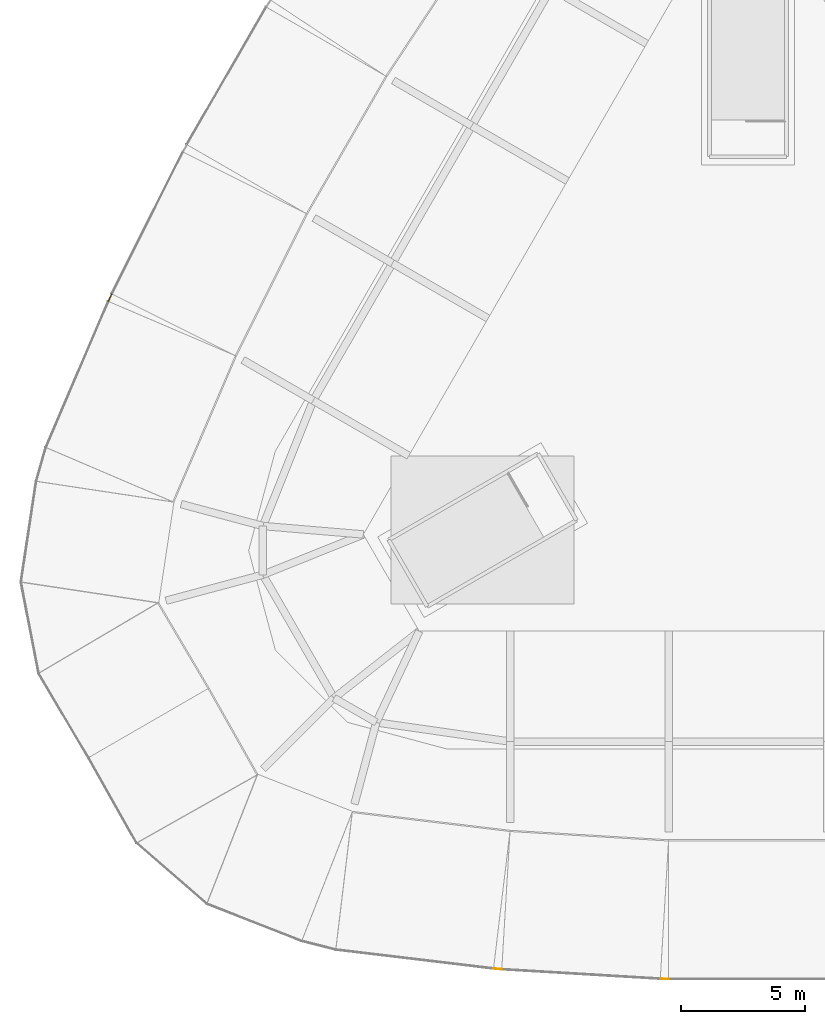
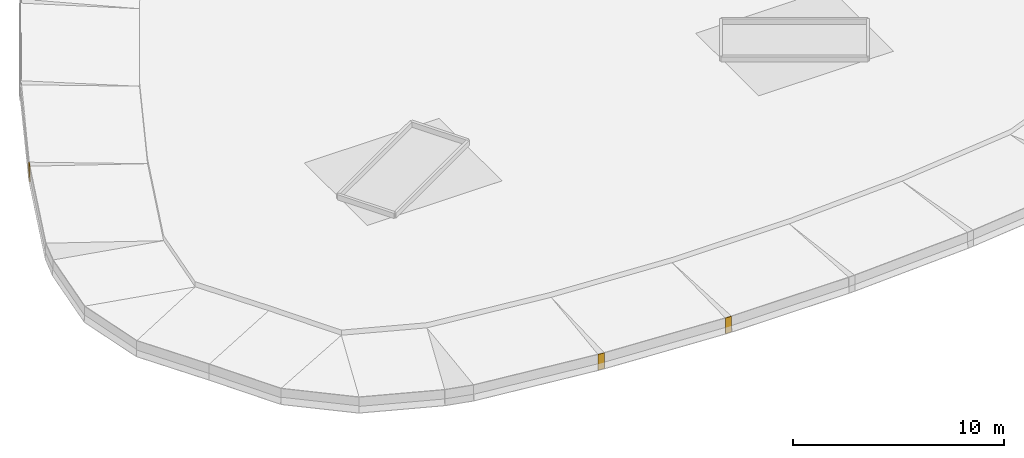
# One storey, part 6 of 9: 3 coverings.
"""IFC4 building model written with IfcOpenShell, lengths in metres."""

from ifc_helpers import new_model, si_unit, direction, frame, origin, origin_2d, place, context, subcontext, project, spatial, rectangle, extrude, material, layer, layer_set, type_object, element, save


model = new_model("IFC4")

# Units and contexts
model_context = context("Model", 3, precision=1e-05, world=origin(), true_north=direction((0.0, 1.0)))
body_context = subcontext(model_context, "Body", "Model", "MODEL_VIEW")
ifc_project = project(units=[si_unit("LENGTHUNIT", "METRE"), si_unit("AREAUNIT", "SQUARE_METRE"), si_unit("VOLUMEUNIT", "CUBIC_METRE"), si_unit("PLANEANGLEUNIT", "RADIAN"), si_unit("MASSUNIT", "GRAM", prefix="KILO")], contexts=[model_context])

# Site, building, storey
site_placement = place(None, origin())
site = spatial("IfcSite", under=ifc_project, at=site_placement, CompositionType="ELEMENT")
building_placement = place(site_placement, origin())
building = spatial("IfcBuilding", under=site, at=building_placement, Name="Mestral Congress Tower", CompositionType="ELEMENT")
storey_placement = place(building_placement, frame((0.0, 0.0, 348.60009765625)))
storey = spatial("IfcBuildingStorey", under=building, at=storey_placement, Name="L81", CompositionType="ELEMENT", Elevation=348.60009765625)

# Coverings
ifc_material = material(Name="Larch timber", Category="wood")
ifc_layer = layer(ifc_material, 0.030029296875)
ifc_layer_set = layer_set([ifc_layer], Name="Larch timber")
covering_type = type_object("IfcCoveringType", Name="Crown canopy timber fascia 30", PredefinedType="CLADDING", material=ifc_layer_set)
covering_placement = place(storey_placement, frame((-10.0888671875, -23.86376953125, 0.320068359375), z_axis=(0.0, 0.0, 1.0), x_axis=(0.9959981285, -0.089374090346, 0.0)))
element("IfcCovering", 1, at=covering_placement, inside=storey, type_object=covering_type, Name="Canopy fascia 3", PredefinedType="CLADDING", context=body_context, shape_type="SweptSolid", body=[
    extrude(rectangle(XDim=0.334228515625, YDim=0.030029296875, at=origin_2d()), origin(), (0.0, 0.0, 1.0), 0.89990234375),
])
for number, where, z_axis, x_axis, name in (
    (2, (-3.366943359375, -24.26513671875, 0.320068359375), (0.0, 0.0, 1.0), (0.999555239875, -0.029821509661, 0.0), "Canopy fascia 5"),
    (3, (-25.7109375, 3.194580078125, 0.320068359375), (0.0, 0.0, 1.0), (-0.420597248125, -0.907247460657, 0.0), "Canopy fascia 45"),
):
    element("IfcCovering", number, at=place(storey_placement, frame(where, z_axis=z_axis, x_axis=x_axis)), inside=storey, type_object=covering_type, Name=name, PredefinedType="CLADDING", context=body_context, shape_type="SweptSolid", body=[
        extrude(rectangle(XDim=0.333984375, YDim=0.030029296875, at=origin_2d()), origin(), (0.0, 0.0, 1.0), 0.89990234375),
    ])

save(model, "model.ifc")
